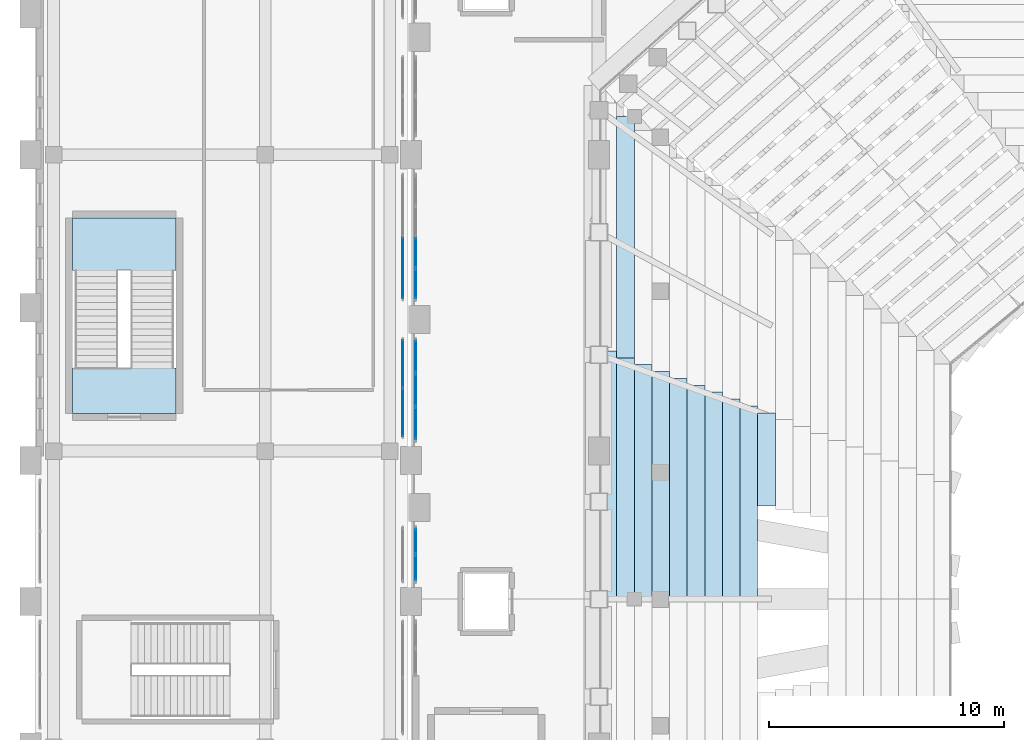
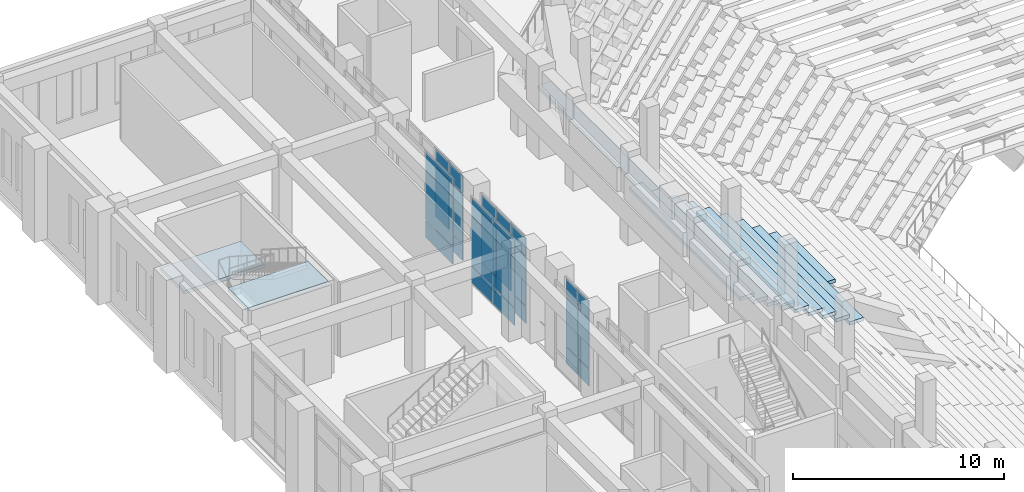
# One storey, part 99 of 159: 30 plates, 13 slabs, 6 elements without a shape of their own.
"""IFC4 building model written with IfcOpenShell, lengths in metres."""

import ifcopenshell
import ifcopenshell.guid

model = None  # the IFC model being written
_history = None  # IfcOwnerHistory: only IFC2X3 demands one
_inside = {}  # id of a spatial element -> (the spatial element, [elements in it])
_under = {}  # id of a project, library or spatial element -> (it, [spatial elements below it])
_declared = {}  # id of a project -> (the project, [libraries it declares])
_typed = {}  # id of a type object -> (the type object, [elements of that type])
_made_of = {}  # id of a material, layer set ... -> (it, [elements and type objects made of it])


def new_model(schema):
    """Start an empty IFC model of exactly this schema.

    Asked for "IFC4X3", IfcOpenShell would pick the latest addendum, in which some entities
    have other attributes; the version numbers below select the first issue.
    IFC2X3 requires an IfcOwnerHistory on every rooted entity: one is made here for all.
    """
    global model, _history
    if schema == "IFC4X3":
        model = ifcopenshell.file(schema_version=(4, 3, 0, 0))
    else:
        model = ifcopenshell.file(schema=schema)
    _inside.clear()
    _under.clear()
    _declared.clear()
    _typed.clear()
    _made_of.clear()
    _history = None
    if model.schema == "IFC2X3":
        org = make("IfcOrganization", Name="unknown")
        user = make(
            "IfcPersonAndOrganization",
            ThePerson=make("IfcPerson", FamilyName="unknown"),
            TheOrganization=org,
        )
        app = make(
            "IfcApplication",
            ApplicationDeveloper=org,
            Version="unknown",
            ApplicationFullName="unknown",
            ApplicationIdentifier="unknown",
        )
        _history = make(
            "IfcOwnerHistory",
            OwningUser=user,
            OwningApplication=app,
            ChangeAction="ADDED",
            CreationDate=0,
        )
    return model


def make(cls, **values):
    """One entity of the class cls with the attributes given. An attribute that is None is left unset."""
    return model.create_entity(
        cls, **{name: value for name, value in values.items() if value is not None}
    )


def rooted(cls, **values):
    """An entity with a GlobalId (a new one), such as an element, a storey or a relation."""
    return make(cls, GlobalId=ifcopenshell.guid.new(), OwnerHistory=_history, **values)


def si_unit(unit_type, name, prefix=None):
    """IfcSIUnit, for example si_unit("LENGTHUNIT", "METRE", prefix="MILLI")."""
    return make("IfcSIUnit", UnitType=unit_type, Prefix=prefix, Name=name)


def derived_unit(unit_type, elements):
    """IfcDerivedUnit: a product of units, each with its exponent."""
    return make(
        "IfcDerivedUnit",
        Elements=[
            make("IfcDerivedUnitElement", Unit=unit, Exponent=power)
            for unit, power in elements
        ],
        UnitType=unit_type,
    )


def assignment(units):
    """IfcUnitAssignment: the units of a project."""
    return None if units is None else make("IfcUnitAssignment", Units=units)


def point(xyz):
    """IfcCartesianPoint."""
    return None if xyz is None else make("IfcCartesianPoint", Coordinates=xyz)


def direction(xyz):
    """IfcDirection."""
    return None if xyz is None else make("IfcDirection", DirectionRatios=xyz)


def frame(location, z_axis=None, x_axis=None):
    """IfcAxis2Placement3D, a coordinate frame: its origin and axes. An axis left out is left unset."""
    return make(
        "IfcAxis2Placement3D",
        Location=point(location),
        Axis=direction(z_axis),
        RefDirection=direction(x_axis),
    )


def frame_2d(location, x_axis=None):
    """IfcAxis2Placement2D, a coordinate frame in the plane: its origin and x axis."""
    return make(
        "IfcAxis2Placement2D", Location=point(location), RefDirection=direction(x_axis)
    )


def origin():
    """The frame at (0, 0, 0) with its axes left unset."""
    return frame((0.0, 0.0, 0.0))


def origin_2d():
    """The frame at (0, 0) in the plane with its x axis left unset."""
    return frame_2d((0.0, 0.0))


def place(relative_to, where):
    """IfcLocalPlacement: puts the frame where relative to a parent placement (None: the world)."""
    return make(
        "IfcLocalPlacement", PlacementRelTo=relative_to, RelativePlacement=where
    )


def context(
    kind, dimensions, precision=None, world=None, true_north=None, identifier=None
):
    """IfcGeometricRepresentationContext, for example the 3D "Model" context."""
    return make(
        "IfcGeometricRepresentationContext",
        ContextIdentifier=identifier,
        ContextType=kind,
        CoordinateSpaceDimension=dimensions,
        Precision=precision,
        WorldCoordinateSystem=world,
        TrueNorth=true_north,
    )


def subcontext(parent, identifier, kind, view, scale=None):
    """IfcGeometricRepresentationSubContext, for example "Body" below "Model"."""
    return make(
        "IfcGeometricRepresentationSubContext",
        ContextIdentifier=identifier,
        ContextType=kind,
        ParentContext=parent,
        TargetScale=scale,
        TargetView=view,
    )


def project(units=None, contexts=None):
    """IfcProject with its units and contexts."""
    return rooted(
        "IfcProject",
        Name="project",
        RepresentationContexts=contexts,
        UnitsInContext=assignment(units),
    )


def spatial(cls, under=None, at=None, **own):
    """A site, building, storey or space (cls), placed at a placement, below another one or the project."""
    s = rooted(cls, ObjectPlacement=at, **own)
    if under is not None:
        _under.setdefault(under.id(), (under, []))[1].append(s)
    return s


def polyline(points):
    """IfcPolyline through the points."""
    return make("IfcPolyline", Points=[point(p) for p in points])


def profile(cls, at=None, kind="AREA", **sizes):
    """A parametric profile (cls). Its sizes go by their IFC names, for example OverallWidth=200.0."""
    return make(cls, ProfileType=kind, Position=at, **sizes)


def rectangle(**sizes):
    """IfcRectangleProfileDef."""
    return profile("IfcRectangleProfileDef", **sizes)


def outline(outer, holes=None, kind="AREA"):
    """IfcArbitraryClosedProfileDef: a profile drawn as a closed curve; with holes, ...WithVoids."""
    if holes is None:
        return make("IfcArbitraryClosedProfileDef", ProfileType=kind, OuterCurve=outer)
    return make(
        "IfcArbitraryProfileDefWithVoids",
        ProfileType=kind,
        OuterCurve=outer,
        InnerCurves=holes,
    )


def extrude(swept, where, along, depth):
    """IfcExtrudedAreaSolid: the profile swept, set in the frame where, extruded along a direction by depth."""
    return make(
        "IfcExtrudedAreaSolid",
        SweptArea=swept,
        Position=where,
        ExtrudedDirection=direction(along),
        Depth=depth,
    )


def shape(context_of_items, identifier, shape_type, items):
    """IfcShapeRepresentation: the items that make up one representation, for example the "Body"."""
    return make(
        "IfcShapeRepresentation",
        ContextOfItems=context_of_items,
        RepresentationIdentifier=identifier,
        RepresentationType=shape_type,
        Items=items,
    )


def material(Name=None, Category=None):
    """IfcMaterial."""
    return make("IfcMaterial", Name=Name, Category=Category)


def layer(
    of_material, thickness, ventilated=None, Name=None, Category=None, Priority=None
):
    """IfcMaterialLayer: one layer of a wall or slab, of a material (None: an air gap)."""
    return make(
        "IfcMaterialLayer",
        Material=of_material,
        LayerThickness=thickness,
        IsVentilated=ventilated,
        Name=Name,
        Category=Category,
        Priority=Priority,
    )


def layer_set(layers, Name=None):
    """IfcMaterialLayerSet."""
    return make("IfcMaterialLayerSet", MaterialLayers=layers, LayerSetName=Name)


def made_of(thing, what):
    """Note that an element or type object is made of a material, layer set ...; save() writes the relation."""
    if what is not None:
        _made_of.setdefault(what.id(), (what, []))[1].append(thing)
    return thing


def type_object(cls, material=None, **own):
    """A type object (cls), such as IfcWallType, which elements share."""
    return made_of(rooted(cls, **own), material)


def element(
    cls,
    number,
    at=None,
    inside=None,
    cuts=None,
    type_object=None,
    material=None,
    context=None,
    identifier="Body",
    shape_type=None,
    held_by="IfcProductDefinitionShape",
    body=None,
    shapes=None,
    **own,
):
    """One element of the class cls, such as IfcWall. Its Tag is "e" and its number.

    at: its placement. inside: the storey or other place that contains it. cuts: it is an
    opening in that element (IfcRelVoidsElement). A single representation is given by context,
    identifier, shape_type and body (its items); several are given by shapes. held_by: the class
    of the entity that holds the representations. save() writes the other relations.
    """
    e = rooted(cls, Tag="e%d" % number, ObjectPlacement=at, **own)
    if body is not None:
        shapes = [shape(context, identifier, shape_type, body)]
    if shapes is not None:
        e.Representation = make(held_by, Representations=shapes)
    if inside is not None:
        _inside.setdefault(inside.id(), (inside, []))[1].append(e)
    if cuts is not None:
        rooted(
            "IfcRelVoidsElement", RelatingBuildingElement=cuts, RelatedOpeningElement=e
        )
    if type_object is not None:
        _typed.setdefault(type_object.id(), (type_object, []))[1].append(e)
    return made_of(e, material)


def aggregate(whole, parts):
    """IfcRelAggregates: a whole, such as a stair, and the parts it consists of."""
    return rooted("IfcRelAggregates", RelatingObject=whole, RelatedObjects=parts)


def save(model, path):
    """Write the relations noted so far, then the file.

    IfcRelAggregates (storeys below a building ...), IfcRelContainedInSpatialStructure (elements
    in a storey), IfcRelDefinesByType, IfcRelAssociatesMaterial and IfcRelDeclares: one each for
    every whole, place, type object, material and project.
    """
    for whole, parts in _under.values():
        aggregate(whole, parts)
    for where, things in _inside.values():
        rooted(
            "IfcRelContainedInSpatialStructure",
            RelatedElements=things,
            RelatingStructure=where,
        )
    for kind, things in _typed.values():
        rooted("IfcRelDefinesByType", RelatedObjects=things, RelatingType=kind)
    for what, things in _made_of.values():
        rooted("IfcRelAssociatesMaterial", RelatedObjects=things, RelatingMaterial=what)
    for by, libraries in _declared.values():
        rooted("IfcRelDeclares", RelatingContext=by, RelatedDefinitions=libraries)
    model.write(path)


model = new_model("IFC4")

# Units and contexts
model_context = context("Model", 3, precision=1e-05, world=origin(), true_north=direction((0.0, 1.0)))
body_context = subcontext(model_context, "Body", "Model", "MODEL_VIEW")
ifc_project = project(units=[si_unit("LENGTHUNIT", "METRE"), si_unit("AREAUNIT", "SQUARE_METRE"), si_unit("VOLUMEUNIT", "CUBIC_METRE"), si_unit("PLANEANGLEUNIT", "RADIAN"), si_unit("MASSUNIT", "GRAM", prefix="KILO"), derived_unit("THERMALTRANSMITTANCEUNIT", [(si_unit("MASSUNIT", "GRAM", prefix="KILO"), 1), (si_unit("TIMEUNIT", "SECOND"), -3), (si_unit("THERMODYNAMICTEMPERATUREUNIT", "KELVIN"), -1)])], contexts=[model_context])

# Site, building, storey
site_placement = place(None, origin())
site = spatial("IfcSite", under=ifc_project, at=site_placement, CompositionType="ELEMENT")
building_placement = place(site_placement, origin())
building = spatial("IfcBuilding", under=site, at=building_placement, Name="Valcora Ridge Arena", CompositionType="ELEMENT")
storey_placement = place(building_placement, frame((0.0, 0.0, 6.0)))
storey = spatial("IfcBuildingStorey", under=building, at=storey_placement, Name="L01", CompositionType="ELEMENT", Elevation=6.0)

# Stair, slabs
ifc_material_1 = material(Name="Concrete C40/50", Category="concrete")
stair_type = type_object("IfcStairType", Name="TY-STAIR-ST08-54", PredefinedType="HALF_TURN_STAIR", material=ifc_material_1)
stair_placement = place(storey_placement, origin())
stair = element("IfcStair", 1, at=stair_placement, inside=storey, type_object=stair_type, Name="ST08-54 STR-CR-0036", PredefinedType="HALF_TURN_STAIR")
ifc_layer_1 = layer(ifc_material_1, 0.199951171875, Name="Concrete C40/50")
ifc_layer_set_1 = layer_set([ifc_layer_1], Name="Concrete C40/50")
slab_type_1 = type_object("IfcSlabType", Name="TY-LAND-ST08-54", PredefinedType="LANDING", material=ifc_layer_set_1)
slab_1_placement = place(storey_placement, frame((0.0, 0.0, 2.5)))
slab_1 = element("IfcSlab", 2, at=slab_1_placement, type_object=slab_type_1, Name="ST08-54 landing 1", PredefinedType="LANDING", context=body_context, shape_type="SweptSolid", body=[
    extrude(outline(polyline([(1.60205078125, 78.090087890625), (5.998046875, 78.090087890625), (5.998046875, 80.318115234375), (1.60205078125, 80.318115234375), (1.60205078125, 78.090087890625)])), origin(), (0.0, 0.0, 1.0), 0.199951171875),
])
slab_2_placement = place(storey_placement, frame((0.0, 0.0, 5.199951171875)))
slab_2 = element("IfcSlab", 3, at=slab_2_placement, type_object=slab_type_1, Name="ST08-54 landing 2", PredefinedType="LANDING", context=body_context, shape_type="SweptSolid", body=[
    extrude(outline(polyline([(1.60205078125, 72.001953125), (5.998046875, 72.001953125), (5.998046875, 73.929931640625), (1.60205078125, 73.929931640625), (1.60205078125, 72.001953125)])), origin(), (0.0, 0.0, 1.0), 0.199951171875),
])
aggregate(stair, [slab_1, slab_2])

# Curtain wall, plates
ifc_material_2 = material(Name="Anodised dark bronze architectural aluminium 6063-T6", Category="aluminium")
ifc_layer_2 = layer(ifc_material_2, 0.179931640625, Name="Anodised dark bronze architectural aluminium 6063-T6")
ifc_layer_set_2 = layer_set([ifc_layer_2], Name="Anodised dark bronze architectural aluminium 6063-T6")
curtain_wall_type_1 = type_object("IfcCurtainWallType", Name="TY-CURTAINWALL-CW-V1-GOTH-023X50", PredefinedType="NOTDEFINED", material=ifc_layer_set_2)
curtain_wall_1_placement = place(storey_placement, origin())
curtain_wall_1 = element("IfcCurtainWall", 4, at=curtain_wall_1_placement, inside=storey, type_object=curtain_wall_type_1, Name="CW-V1-GOTH-023X50 CW-0093", PredefinedType="NOTDEFINED")
ifc_material_3 = material(Name="Low-iron solar-control double glazing SHGC 0.28", Category="glass")
ifc_layer_3 = layer(ifc_material_3, 0.031982421875, Name="Low-iron solar-control double glazing SHGC 0.28")
ifc_layer_set_3 = layer_set([ifc_layer_3], Name="Low-iron solar-control double glazing SHGC 0.28")
plate_type_1 = type_object("IfcPlateType", Name="TY-PLT-CWP-1070X0960", PredefinedType="CURTAIN_PANEL", material=ifc_layer_set_3)
plate_1_placement = place(storey_placement, frame((16.199951171875, 65.43505859375, 0.06005859375), z_axis=(0.0, 0.0, 1.0), x_axis=(0.0, 1.0, 0.0)))
plate_1 = element("IfcPlate", 5, at=plate_1_placement, type_object=plate_type_1, Name="CW-0093/P00-00", PredefinedType="CURTAIN_PANEL", context=body_context, shape_type="SweptSolid", body=[
    extrude(rectangle(XDim=1.070068359375, YDim=0.031982421875, at=origin_2d()), origin(), (0.0, 0.0, 1.0), 0.9599609375),
])
plate_2_placement = place(storey_placement, frame((16.199951171875, 66.56494140625, 0.06005859375), z_axis=(0.0, 0.0, 1.0), x_axis=(0.0, 1.0, 0.0)))
plate_2 = element("IfcPlate", 6, at=plate_2_placement, type_object=plate_type_1, Name="CW-0093/P01-00", PredefinedType="CURTAIN_PANEL", context=body_context, shape_type="SweptSolid", body=[
    extrude(rectangle(XDim=1.070068359375, YDim=0.031982421875, at=origin_2d()), origin(), (0.0, 0.0, 1.0), 0.9599609375),
])
ifc_layer_4 = layer(ifc_material_3, 0.031982421875, Name="Low-iron solar-control double glazing SHGC 0.28")
ifc_layer_set_4 = layer_set([ifc_layer_4], Name="Low-iron solar-control double glazing SHGC 0.28")
plate_type_2 = type_object("IfcPlateType", Name="TY-PLT-CWP-1070X1010", PredefinedType="CURTAIN_PANEL", material=ifc_layer_set_4)
plate_3_placement = place(storey_placement, frame((16.199951171875, 65.43505859375, 3.97021484375), z_axis=(0.0, 0.0, 1.0), x_axis=(0.0, 1.0, 0.0)))
plate_3 = element("IfcPlate", 7, at=plate_3_placement, type_object=plate_type_2, Name="CW-0093/P00-02", PredefinedType="CURTAIN_PANEL", context=body_context, shape_type="SweptSolid", body=[
    extrude(rectangle(XDim=1.070068359375, YDim=0.031982421875, at=origin_2d()), origin(), (0.0, 0.0, 1.0), 1.010009765625),
])
plate_4_placement = place(storey_placement, frame((16.199951171875, 66.56494140625, 3.97021484375), z_axis=(0.0, 0.0, 1.0), x_axis=(0.0, 1.0, 0.0)))
plate_4 = element("IfcPlate", 8, at=plate_4_placement, type_object=plate_type_2, Name="CW-0093/P01-02", PredefinedType="CURTAIN_PANEL", context=body_context, shape_type="SweptSolid", body=[
    extrude(rectangle(XDim=1.070068359375, YDim=0.031982421875, at=origin_2d()), origin(), (0.0, 0.0, 1.0), 1.010009765625),
])
ifc_layer_5 = layer(ifc_material_3, 0.031982421875, Name="Low-iron solar-control double glazing SHGC 0.28")
ifc_layer_set_5 = layer_set([ifc_layer_5], Name="Low-iron solar-control double glazing SHGC 0.28")
plate_type_3 = type_object("IfcPlateType", Name="TY-PLT-CWP-1070X2830", PredefinedType="CURTAIN_PANEL", material=ifc_layer_set_5)
plate_5_placement = place(storey_placement, frame((16.199951171875, 65.43505859375, 1.080078125), z_axis=(0.0, 0.0, 1.0), x_axis=(0.0, 1.0, 0.0)))
plate_5 = element("IfcPlate", 9, at=plate_5_placement, type_object=plate_type_3, Name="CW-0093/P00-01", PredefinedType="CURTAIN_PANEL", context=body_context, shape_type="SweptSolid", body=[
    extrude(rectangle(XDim=1.070068359375, YDim=0.031982421875, at=origin_2d()), origin(), (0.0, 0.0, 1.0), 2.830078125),
])
plate_6_placement = place(storey_placement, frame((16.199951171875, 66.56494140625, 1.080078125), z_axis=(0.0, 0.0, 1.0), x_axis=(0.0, 1.0, 0.0)))
plate_6 = element("IfcPlate", 10, at=plate_6_placement, type_object=plate_type_3, Name="CW-0093/P01-01", PredefinedType="CURTAIN_PANEL", context=body_context, shape_type="SweptSolid", body=[
    extrude(rectangle(XDim=1.070068359375, YDim=0.031982421875, at=origin_2d()), origin(), (0.0, 0.0, 1.0), 2.830078125),
])
aggregate(curtain_wall_1, [plate_1, plate_5, plate_3, plate_2, plate_6, plate_4])

ifc_layer_6 = layer(ifc_material_2, 0.179931640625, Name="Anodised dark bronze architectural aluminium 6063-T6")
ifc_layer_set_6 = layer_set([ifc_layer_6], Name="Anodised dark bronze architectural aluminium 6063-T6")
curtain_wall_type_2 = type_object("IfcCurtainWallType", Name="TY-CURTAINWALL-CW-V1-GOTH-053X50", PredefinedType="NOTDEFINED", material=ifc_layer_set_6)
curtain_wall_2_placement = place(storey_placement, origin())
curtain_wall_2 = element("IfcCurtainWall", 11, at=curtain_wall_2_placement, inside=storey, type_object=curtain_wall_type_2, Name="CW-V1-GOTH-053X50 CW-0095", PredefinedType="NOTDEFINED")
ifc_layer_7 = layer(ifc_material_3, 0.031982421875, Name="Low-iron solar-control double glazing SHGC 0.28")
ifc_layer_set_7 = layer_set([ifc_layer_7], Name="Low-iron solar-control double glazing SHGC 0.28")
plate_type_4 = type_object("IfcPlateType", Name="TY-PLT-CWP-1240X0960", PredefinedType="CURTAIN_PANEL", material=ifc_layer_set_7)
plate_7_placement = place(storey_placement, frame((16.199951171875, 77.52001953125, 0.06005859375), z_axis=(0.0, 0.0, 1.0), x_axis=(0.0, 1.0, 0.0)))
plate_7 = element("IfcPlate", 12, at=plate_7_placement, type_object=plate_type_4, Name="CW-0095/P00-00", PredefinedType="CURTAIN_PANEL", context=body_context, shape_type="SweptSolid", body=[
    extrude(rectangle(XDim=1.239990234375, YDim=0.031982421875, at=origin_2d()), origin(), (0.0, 0.0, 1.0), 0.9599609375),
])
ifc_layer_8 = layer(ifc_material_3, 0.031982421875, Name="Low-iron solar-control double glazing SHGC 0.28")
ifc_layer_set_8 = layer_set([ifc_layer_8], Name="Low-iron solar-control double glazing SHGC 0.28")
plate_type_5 = type_object("IfcPlateType", Name="TY-PLT-CWP-1240X1010", PredefinedType="CURTAIN_PANEL", material=ifc_layer_set_8)
plate_8_placement = place(storey_placement, frame((16.199951171875, 77.52001953125, 3.97021484375), z_axis=(0.0, 0.0, 1.0), x_axis=(0.0, 1.0, 0.0)))
plate_8 = element("IfcPlate", 13, at=plate_8_placement, type_object=plate_type_5, Name="CW-0095/P00-02", PredefinedType="CURTAIN_PANEL", context=body_context, shape_type="SweptSolid", body=[
    extrude(rectangle(XDim=1.239990234375, YDim=0.031982421875, at=origin_2d()), origin(), (0.0, 0.0, 1.0), 1.010009765625),
])
ifc_layer_9 = layer(ifc_material_3, 0.031982421875, Name="Low-iron solar-control double glazing SHGC 0.28")
ifc_layer_set_9 = layer_set([ifc_layer_9], Name="Low-iron solar-control double glazing SHGC 0.28")
plate_type_6 = type_object("IfcPlateType", Name="TY-PLT-CWP-1240X2830", PredefinedType="CURTAIN_PANEL", material=ifc_layer_set_9)
plate_9_placement = place(storey_placement, frame((16.199951171875, 77.52001953125, 1.080078125), z_axis=(0.0, 0.0, 1.0), x_axis=(0.0, 1.0, 0.0)))
plate_9 = element("IfcPlate", 14, at=plate_9_placement, type_object=plate_type_6, Name="CW-0095/P00-01", PredefinedType="CURTAIN_PANEL", context=body_context, shape_type="SweptSolid", body=[
    extrude(rectangle(XDim=1.239990234375, YDim=0.031982421875, at=origin_2d()), origin(), (0.0, 0.0, 1.0), 2.830078125),
])
ifc_layer_10 = layer(ifc_material_3, 0.031982421875, Name="Low-iron solar-control double glazing SHGC 0.28")
ifc_layer_set_10 = layer_set([ifc_layer_10], Name="Low-iron solar-control double glazing SHGC 0.28")
plate_type_7 = type_object("IfcPlateType", Name="TY-PLT-CWP-1270X0960", PredefinedType="CURTAIN_PANEL", material=ifc_layer_set_10)
plate_10_placement = place(storey_placement, frame((16.199951171875, 78.8349609375, 0.06005859375), z_axis=(0.0, 0.0, 1.0), x_axis=(0.0, 1.0, 0.0)))
plate_10 = element("IfcPlate", 15, at=plate_10_placement, type_object=plate_type_7, Name="CW-0095/P01-00", PredefinedType="CURTAIN_PANEL", context=body_context, shape_type="SweptSolid", body=[
    extrude(rectangle(XDim=1.27001953125, YDim=0.031982421875, at=origin_2d()), origin(), (0.0, 0.0, 1.0), 0.9599609375),
])
ifc_layer_11 = layer(ifc_material_3, 0.031982421875, Name="Low-iron solar-control double glazing SHGC 0.28")
ifc_layer_set_11 = layer_set([ifc_layer_11], Name="Low-iron solar-control double glazing SHGC 0.28")
plate_type_8 = type_object("IfcPlateType", Name="TY-PLT-CWP-1270X1010", PredefinedType="CURTAIN_PANEL", material=ifc_layer_set_11)
plate_11_placement = place(storey_placement, frame((16.199951171875, 78.8349609375, 3.97021484375), z_axis=(0.0, 0.0, 1.0), x_axis=(0.0, 1.0, 0.0)))
plate_11 = element("IfcPlate", 16, at=plate_11_placement, type_object=plate_type_8, Name="CW-0095/P01-02", PredefinedType="CURTAIN_PANEL", context=body_context, shape_type="SweptSolid", body=[
    extrude(rectangle(XDim=1.27001953125, YDim=0.031982421875, at=origin_2d()), origin(), (0.0, 0.0, 1.0), 1.010009765625),
])
ifc_layer_12 = layer(ifc_material_3, 0.031982421875, Name="Low-iron solar-control double glazing SHGC 0.28")
ifc_layer_set_12 = layer_set([ifc_layer_12], Name="Low-iron solar-control double glazing SHGC 0.28")
plate_type_9 = type_object("IfcPlateType", Name="TY-PLT-CWP-1270X2830", PredefinedType="CURTAIN_PANEL", material=ifc_layer_set_12)
plate_12_placement = place(storey_placement, frame((16.199951171875, 78.8349609375, 1.080078125), z_axis=(0.0, 0.0, 1.0), x_axis=(0.0, 1.0, 0.0)))
plate_12 = element("IfcPlate", 17, at=plate_12_placement, type_object=plate_type_9, Name="CW-0095/P01-01", PredefinedType="CURTAIN_PANEL", context=body_context, shape_type="SweptSolid", body=[
    extrude(rectangle(XDim=1.27001953125, YDim=0.031982421875, at=origin_2d()), origin(), (0.0, 0.0, 1.0), 2.830078125),
])
aggregate(curtain_wall_2, [plate_7, plate_9, plate_8, plate_10, plate_12, plate_11])

ifc_layer_13 = layer(ifc_material_2, 0.179931640625, Name="Anodised dark bronze architectural aluminium 6063-T6")
ifc_layer_set_13 = layer_set([ifc_layer_13], Name="Anodised dark bronze architectural aluminium 6063-T6")
curtain_wall_type_3 = type_object("IfcCurtainWallType", Name="TY-CURTAINWALL-CW-V1-GOTH-043X50", PredefinedType="NOTDEFINED", material=ifc_layer_set_13)
curtain_wall_3_placement = place(storey_placement, origin())
curtain_wall_3 = element("IfcCurtainWall", 18, at=curtain_wall_3_placement, inside=storey, type_object=curtain_wall_type_3, Name="CW-V1-GOTH-043X50 CW-0094", PredefinedType="NOTDEFINED")
ifc_layer_14 = layer(ifc_material_3, 0.031982421875, Name="Low-iron solar-control double glazing SHGC 0.28")
ifc_layer_set_14 = layer_set([ifc_layer_14], Name="Low-iron solar-control double glazing SHGC 0.28")
plate_type_10 = type_object("IfcPlateType", Name="TY-PLT-CWP-1350X0960", PredefinedType="CURTAIN_PANEL", material=ifc_layer_set_14)
plate_13_placement = place(storey_placement, frame((16.199951171875, 71.574951171875, 0.06005859375), z_axis=(0.0, 0.0, 1.0), x_axis=(0.0, 1.0, 0.0)))
plate_13 = element("IfcPlate", 19, at=plate_13_placement, type_object=plate_type_10, Name="CW-0094/P00-00", PredefinedType="CURTAIN_PANEL", context=body_context, shape_type="SweptSolid", body=[
    extrude(rectangle(XDim=1.35009765625, YDim=0.031982421875, at=origin_2d()), origin(), (0.0, 0.0, 1.0), 0.9599609375),
])
plate_14_placement = place(storey_placement, frame((16.199951171875, 74.425048828125, 0.06005859375), z_axis=(0.0, 0.0, 1.0), x_axis=(0.0, 1.0, 0.0)))
plate_14 = element("IfcPlate", 20, at=plate_14_placement, type_object=plate_type_10, Name="CW-0094/P02-00", PredefinedType="CURTAIN_PANEL", context=body_context, shape_type="SweptSolid", body=[
    extrude(rectangle(XDim=1.35009765625, YDim=0.031982421875, at=origin_2d()), origin(), (0.0, 0.0, 1.0), 0.9599609375),
])
ifc_layer_15 = layer(ifc_material_3, 0.031982421875, Name="Low-iron solar-control double glazing SHGC 0.28")
ifc_layer_set_15 = layer_set([ifc_layer_15], Name="Low-iron solar-control double glazing SHGC 0.28")
plate_type_11 = type_object("IfcPlateType", Name="TY-PLT-CWP-1350X1010", PredefinedType="CURTAIN_PANEL", material=ifc_layer_set_15)
plate_15_placement = place(storey_placement, frame((16.199951171875, 71.574951171875, 3.97021484375), z_axis=(0.0, 0.0, 1.0), x_axis=(0.0, 1.0, 0.0)))
plate_15 = element("IfcPlate", 21, at=plate_15_placement, type_object=plate_type_11, Name="CW-0094/P00-02", PredefinedType="CURTAIN_PANEL", context=body_context, shape_type="SweptSolid", body=[
    extrude(rectangle(XDim=1.35009765625, YDim=0.031982421875, at=origin_2d()), origin(), (0.0, 0.0, 1.0), 1.010009765625),
])
plate_16_placement = place(storey_placement, frame((16.199951171875, 74.425048828125, 3.97021484375), z_axis=(0.0, 0.0, 1.0), x_axis=(0.0, 1.0, 0.0)))
plate_16 = element("IfcPlate", 22, at=plate_16_placement, type_object=plate_type_11, Name="CW-0094/P02-02", PredefinedType="CURTAIN_PANEL", context=body_context, shape_type="SweptSolid", body=[
    extrude(rectangle(XDim=1.35009765625, YDim=0.031982421875, at=origin_2d()), origin(), (0.0, 0.0, 1.0), 1.010009765625),
])
ifc_layer_16 = layer(ifc_material_3, 0.031982421875, Name="Low-iron solar-control double glazing SHGC 0.28")
ifc_layer_set_16 = layer_set([ifc_layer_16], Name="Low-iron solar-control double glazing SHGC 0.28")
plate_type_12 = type_object("IfcPlateType", Name="TY-PLT-CWP-1350X2830", PredefinedType="CURTAIN_PANEL", material=ifc_layer_set_16)
plate_17_placement = place(storey_placement, frame((16.199951171875, 71.574951171875, 1.080078125), z_axis=(0.0, 0.0, 1.0), x_axis=(0.0, 1.0, 0.0)))
plate_17 = element("IfcPlate", 23, at=plate_17_placement, type_object=plate_type_12, Name="CW-0094/P00-01", PredefinedType="CURTAIN_PANEL", context=body_context, shape_type="SweptSolid", body=[
    extrude(rectangle(XDim=1.35009765625, YDim=0.031982421875, at=origin_2d()), origin(), (0.0, 0.0, 1.0), 2.830078125),
])
plate_18_placement = place(storey_placement, frame((16.199951171875, 74.425048828125, 1.080078125), z_axis=(0.0, 0.0, 1.0), x_axis=(0.0, 1.0, 0.0)))
plate_18 = element("IfcPlate", 24, at=plate_18_placement, type_object=plate_type_12, Name="CW-0094/P02-01", PredefinedType="CURTAIN_PANEL", context=body_context, shape_type="SweptSolid", body=[
    extrude(rectangle(XDim=1.35009765625, YDim=0.031982421875, at=origin_2d()), origin(), (0.0, 0.0, 1.0), 2.830078125),
])
ifc_layer_17 = layer(ifc_material_3, 0.031982421875, Name="Low-iron solar-control double glazing SHGC 0.28")
ifc_layer_set_17 = layer_set([ifc_layer_17], Name="Low-iron solar-control double glazing SHGC 0.28")
plate_type_13 = type_object("IfcPlateType", Name="TY-PLT-CWP-1380X0960", PredefinedType="CURTAIN_PANEL", material=ifc_layer_set_17)
plate_19_placement = place(storey_placement, frame((16.199951171875, 73.0, 0.06005859375), z_axis=(0.0, 0.0, 1.0), x_axis=(0.0, 1.0, 0.0)))
plate_19 = element("IfcPlate", 25, at=plate_19_placement, type_object=plate_type_13, Name="CW-0094/P01-00", PredefinedType="CURTAIN_PANEL", context=body_context, shape_type="SweptSolid", body=[
    extrude(rectangle(XDim=1.3798828125, YDim=0.031982421875, at=origin_2d()), origin(), (0.0, 0.0, 1.0), 0.9599609375),
])
ifc_layer_18 = layer(ifc_material_3, 0.031982421875, Name="Low-iron solar-control double glazing SHGC 0.28")
ifc_layer_set_18 = layer_set([ifc_layer_18], Name="Low-iron solar-control double glazing SHGC 0.28")
plate_type_14 = type_object("IfcPlateType", Name="TY-PLT-CWP-1380X1010", PredefinedType="CURTAIN_PANEL", material=ifc_layer_set_18)
plate_20_placement = place(storey_placement, frame((16.199951171875, 73.0, 3.97021484375), z_axis=(0.0, 0.0, 1.0), x_axis=(0.0, 1.0, 0.0)))
plate_20 = element("IfcPlate", 26, at=plate_20_placement, type_object=plate_type_14, Name="CW-0094/P01-02", PredefinedType="CURTAIN_PANEL", context=body_context, shape_type="SweptSolid", body=[
    extrude(rectangle(XDim=1.3798828125, YDim=0.031982421875, at=origin_2d()), origin(), (0.0, 0.0, 1.0), 1.010009765625),
])
ifc_layer_19 = layer(ifc_material_3, 0.031982421875, Name="Low-iron solar-control double glazing SHGC 0.28")
ifc_layer_set_19 = layer_set([ifc_layer_19], Name="Low-iron solar-control double glazing SHGC 0.28")
plate_type_15 = type_object("IfcPlateType", Name="TY-PLT-CWP-1380X2830", PredefinedType="CURTAIN_PANEL", material=ifc_layer_set_19)
plate_21_placement = place(storey_placement, frame((16.199951171875, 73.0, 1.080078125), z_axis=(0.0, 0.0, 1.0), x_axis=(0.0, 1.0, 0.0)))
plate_21 = element("IfcPlate", 27, at=plate_21_placement, type_object=plate_type_15, Name="CW-0094/P01-01", PredefinedType="CURTAIN_PANEL", context=body_context, shape_type="SweptSolid", body=[
    extrude(rectangle(XDim=1.3798828125, YDim=0.031982421875, at=origin_2d()), origin(), (0.0, 0.0, 1.0), 2.830078125),
])
aggregate(curtain_wall_3, [plate_13, plate_17, plate_15, plate_19, plate_21, plate_20, plate_14, plate_18, plate_16])

ifc_layer_20 = layer(ifc_material_2, 0.14990234375, Name="Anodised dark bronze architectural aluminium 6063-T6")
ifc_layer_set_20 = layer_set([ifc_layer_20], Name="Anodised dark bronze architectural aluminium 6063-T6")
curtain_wall_type_4 = type_object("IfcCurtainWallType", Name="TY-CURTAINWALL-CW-V4-CLUB-042X50", PredefinedType="NOTDEFINED", material=ifc_layer_set_20)
curtain_wall_4_placement = place(storey_placement, origin())
curtain_wall_4 = element("IfcCurtainWall", 28, at=curtain_wall_4_placement, inside=storey, type_object=curtain_wall_type_4, Name="CW-V4-CLUB-042X50 CW-0233", PredefinedType="NOTDEFINED")
ifc_layer_21 = layer(ifc_material_3, 0.028076171875, Name="Low-iron solar-control double glazing SHGC 0.28")
ifc_layer_set_21 = layer_set([ifc_layer_21], Name="Low-iron solar-control double glazing SHGC 0.28")
plate_type_16 = type_object("IfcPlateType", Name="TY-PLT-CWP-2010X0975", PredefinedType="CURTAIN_PANEL", material=ifc_layer_set_21)
plate_22_placement = place(storey_placement, frame((15.64990234375, 72.044921875, 0.050048828125), z_axis=(0.0, 0.0, 1.0), x_axis=(0.0, 1.0, 0.0)))
plate_22 = element("IfcPlate", 29, at=plate_22_placement, type_object=plate_type_16, Name="CW-0233/P00-00", PredefinedType="CURTAIN_PANEL", context=body_context, shape_type="SweptSolid", body=[
    extrude(rectangle(XDim=2.010009765625, YDim=0.028076171875, at=origin_2d()), origin(), (0.0, 0.0, 1.0), 0.97509765625),
])
plate_23_placement = place(storey_placement, frame((15.64990234375, 74.10498046875, 0.050048828125), z_axis=(0.0, 0.0, 1.0), x_axis=(0.0, 1.0, 0.0)))
plate_23 = element("IfcPlate", 30, at=plate_23_placement, type_object=plate_type_16, Name="CW-0233/P01-00", PredefinedType="CURTAIN_PANEL", context=body_context, shape_type="SweptSolid", body=[
    extrude(rectangle(XDim=2.010009765625, YDim=0.028076171875, at=origin_2d()), origin(), (0.0, 0.0, 1.0), 0.97509765625),
])
ifc_layer_22 = layer(ifc_material_3, 0.028076171875, Name="Low-iron solar-control double glazing SHGC 0.28")
ifc_layer_set_22 = layer_set([ifc_layer_22], Name="Low-iron solar-control double glazing SHGC 0.28")
plate_type_17 = type_object("IfcPlateType", Name="TY-PLT-CWP-2010X1025", PredefinedType="CURTAIN_PANEL", material=ifc_layer_set_22)
plate_24_placement = place(storey_placement, frame((15.64990234375, 72.044921875, 3.965087890625), z_axis=(0.0, 0.0, 1.0), x_axis=(0.0, 1.0, 0.0)))
plate_24 = element("IfcPlate", 31, at=plate_24_placement, type_object=plate_type_17, Name="CW-0233/P00-02", PredefinedType="CURTAIN_PANEL", context=body_context, shape_type="SweptSolid", body=[
    extrude(rectangle(XDim=2.010009765625, YDim=0.028076171875, at=origin_2d()), origin(), (0.0, 0.0, 1.0), 1.02490234375),
])
plate_25_placement = place(storey_placement, frame((15.64990234375, 74.10498046875, 3.965087890625), z_axis=(0.0, 0.0, 1.0), x_axis=(0.0, 1.0, 0.0)))
plate_25 = element("IfcPlate", 32, at=plate_25_placement, type_object=plate_type_17, Name="CW-0233/P01-02", PredefinedType="CURTAIN_PANEL", context=body_context, shape_type="SweptSolid", body=[
    extrude(rectangle(XDim=2.010009765625, YDim=0.028076171875, at=origin_2d()), origin(), (0.0, 0.0, 1.0), 1.02490234375),
])
ifc_layer_23 = layer(ifc_material_3, 0.028076171875, Name="Low-iron solar-control double glazing SHGC 0.28")
ifc_layer_set_23 = layer_set([ifc_layer_23], Name="Low-iron solar-control double glazing SHGC 0.28")
plate_type_18 = type_object("IfcPlateType", Name="TY-PLT-CWP-2010X2840", PredefinedType="CURTAIN_PANEL", material=ifc_layer_set_23)
plate_26_placement = place(storey_placement, frame((15.64990234375, 72.044921875, 1.0751953125), z_axis=(0.0, 0.0, 1.0), x_axis=(0.0, 1.0, 0.0)))
plate_26 = element("IfcPlate", 33, at=plate_26_placement, type_object=plate_type_18, Name="CW-0233/P00-01", PredefinedType="CURTAIN_PANEL", context=body_context, shape_type="SweptSolid", body=[
    extrude(rectangle(XDim=2.010009765625, YDim=0.028076171875, at=origin_2d()), origin(), (0.0, 0.0, 1.0), 2.840087890625),
])
plate_27_placement = place(storey_placement, frame((15.64990234375, 74.10498046875, 1.0751953125), z_axis=(0.0, 0.0, 1.0), x_axis=(0.0, 1.0, 0.0)))
plate_27 = element("IfcPlate", 34, at=plate_27_placement, type_object=plate_type_18, Name="CW-0233/P01-01", PredefinedType="CURTAIN_PANEL", context=body_context, shape_type="SweptSolid", body=[
    extrude(rectangle(XDim=2.010009765625, YDim=0.028076171875, at=origin_2d()), origin(), (0.0, 0.0, 1.0), 2.840087890625),
])
aggregate(curtain_wall_4, [plate_22, plate_26, plate_24, plate_23, plate_27, plate_25])

ifc_layer_24 = layer(ifc_material_2, 0.14990234375, Name="Anodised dark bronze architectural aluminium 6063-T6")
ifc_layer_set_24 = layer_set([ifc_layer_24], Name="Anodised dark bronze architectural aluminium 6063-T6")
curtain_wall_type_5 = type_object("IfcCurtainWallType", Name="TY-CURTAINWALL-CW-V4-CLUB-053X50", PredefinedType="NOTDEFINED", material=ifc_layer_set_24)
curtain_wall_5_placement = place(storey_placement, origin())
curtain_wall_5 = element("IfcCurtainWall", 35, at=curtain_wall_5_placement, inside=storey, type_object=curtain_wall_type_5, Name="CW-V4-CLUB-053X50 CW-0234", PredefinedType="NOTDEFINED")
ifc_layer_25 = layer(ifc_material_3, 0.028076171875, Name="Low-iron solar-control double glazing SHGC 0.28")
ifc_layer_set_25 = layer_set([ifc_layer_25], Name="Low-iron solar-control double glazing SHGC 0.28")
plate_type_19 = type_object("IfcPlateType", Name="TY-PLT-CWP-2585X0975", PredefinedType="CURTAIN_PANEL", material=ifc_layer_set_25)
plate_28_placement = place(storey_placement, frame((15.64990234375, 78.1826171875, 0.050048828125), z_axis=(0.0, 0.0, 1.0), x_axis=(0.0, 1.0, 0.0)))
plate_28 = element("IfcPlate", 36, at=plate_28_placement, type_object=plate_type_19, Name="CW-0234/P00-00", PredefinedType="CURTAIN_PANEL", context=body_context, shape_type="SweptSolid", body=[
    extrude(rectangle(XDim=2.5849609375, YDim=0.028076171875, at=origin_2d()), origin(), (0.0, 0.0, 1.0), 0.97509765625),
])
ifc_layer_26 = layer(ifc_material_3, 0.028076171875, Name="Low-iron solar-control double glazing SHGC 0.28")
ifc_layer_set_26 = layer_set([ifc_layer_26], Name="Low-iron solar-control double glazing SHGC 0.28")
plate_type_20 = type_object("IfcPlateType", Name="TY-PLT-CWP-2585X1025", PredefinedType="CURTAIN_PANEL", material=ifc_layer_set_26)
plate_29_placement = place(storey_placement, frame((15.64990234375, 78.1826171875, 3.965087890625), z_axis=(0.0, 0.0, 1.0), x_axis=(0.0, 1.0, 0.0)))
plate_29 = element("IfcPlate", 37, at=plate_29_placement, type_object=plate_type_20, Name="CW-0234/P00-02", PredefinedType="CURTAIN_PANEL", context=body_context, shape_type="SweptSolid", body=[
    extrude(rectangle(XDim=2.5849609375, YDim=0.028076171875, at=origin_2d()), origin(), (0.0, 0.0, 1.0), 1.02490234375),
])
ifc_layer_27 = layer(ifc_material_3, 0.028076171875, Name="Low-iron solar-control double glazing SHGC 0.28")
ifc_layer_set_27 = layer_set([ifc_layer_27], Name="Low-iron solar-control double glazing SHGC 0.28")
plate_type_21 = type_object("IfcPlateType", Name="TY-PLT-CWP-2585X2840", PredefinedType="CURTAIN_PANEL", material=ifc_layer_set_27)
plate_30_placement = place(storey_placement, frame((15.64990234375, 78.1826171875, 1.0751953125), z_axis=(0.0, 0.0, 1.0), x_axis=(0.0, 1.0, 0.0)))
plate_30 = element("IfcPlate", 38, at=plate_30_placement, type_object=plate_type_21, Name="CW-0234/P00-01", PredefinedType="CURTAIN_PANEL", context=body_context, shape_type="SweptSolid", body=[
    extrude(rectangle(XDim=2.5849609375, YDim=0.028076171875, at=origin_2d()), origin(), (0.0, 0.0, 1.0), 2.840087890625),
])
aggregate(curtain_wall_5, [plate_28, plate_30, plate_29])

# Slabs
ifc_material_4 = material(Name="Precast concrete C45/55", Category="concrete")
ifc_layer_28 = layer(ifc_material_4, 0.199951171875, Name="Precast concrete C45/55")
ifc_layer_set_28 = layer_set([ifc_layer_28], Name="Precast concrete C45/55")
slab_type_2 = type_object("IfcSlabType", Name="TY-SLAB-ST-LOW-L040", PredefinedType="USERDEFINED", material=ifc_layer_set_28)
slab_3_placement = place(storey_placement, frame((0.0, 0.0, -1.199951171875)))
element("IfcSlab", 39, at=slab_3_placement, inside=storey, type_object=slab_type_2, Name="ST-LOW-L040 SLB-TR-0260", ObjectType="SEATING TIER", PredefinedType="USERDEFINED", context=body_context, shape_type="SweptSolid", body=[
    extrude(outline(polyline([(31.5, 72.02490234375), (31.5, 68.0625), (30.75, 68.0625), (30.75, 72.02490234375), (31.5, 72.02490234375)])), origin(), (0.0, 0.0, 1.0), 0.199951171875),
])
ifc_layer_29 = layer(ifc_material_4, 0.199951171875, Name="Precast concrete C45/55")
ifc_layer_set_29 = layer_set([ifc_layer_29], Name="Precast concrete C45/55")
slab_type_3 = type_object("IfcSlabType", Name="TY-SLAB-ST-LOW-L082", PredefinedType="USERDEFINED", material=ifc_layer_set_29)
slab_4_placement = place(storey_placement, frame((0.0, 0.0, -0.760009765625)))
element("IfcSlab", 40, at=slab_4_placement, inside=storey, type_object=slab_type_3, Name="ST-LOW-L082 SLB-TR-0284", ObjectType="SEATING TIER", PredefinedType="USERDEFINED", context=body_context, shape_type="SweptSolid", body=[
    extrude(outline(polyline([(30.75, 72.3173828125), (30.75, 64.10009765625), (30.0, 64.10009765625), (30.0, 72.3173828125), (30.75, 72.3173828125)])), origin(), (0.0, 0.0, 1.0), 0.199951171875),
])
ifc_layer_30 = layer(ifc_material_4, 0.199951171875, Name="Precast concrete C45/55")
ifc_layer_set_30 = layer_set([ifc_layer_30], Name="Precast concrete C45/55")
slab_type_4 = type_object("IfcSlabType", Name="TY-SLAB-ST-LOW-L085", PredefinedType="USERDEFINED", material=ifc_layer_set_30)
slab_5_placement = place(storey_placement, frame((0.0, 0.0, -0.320068359375)))
element("IfcSlab", 41, at=slab_5_placement, inside=storey, type_object=slab_type_4, Name="ST-LOW-L085 SLB-TR-0308", ObjectType="SEATING TIER", PredefinedType="USERDEFINED", context=body_context, shape_type="SweptSolid", body=[
    extrude(outline(polyline([(30.0, 72.610107421875), (30.0, 64.10009765625), (29.25, 64.10009765625), (29.25, 72.610107421875), (30.0, 72.610107421875)])), origin(), (0.0, 0.0, 1.0), 0.199951171875),
])
ifc_layer_31 = layer(ifc_material_4, 0.199951171875, Name="Precast concrete C45/55")
ifc_layer_set_31 = layer_set([ifc_layer_31], Name="Precast concrete C45/55")
slab_type_5 = type_object("IfcSlabType", Name="TY-SLAB-ST-LOW-L088", PredefinedType="USERDEFINED", material=ifc_layer_set_31)
slab_6_placement = place(storey_placement, frame((0.0, 0.0, 0.1201171875)))
element("IfcSlab", 42, at=slab_6_placement, inside=storey, type_object=slab_type_5, Name="ST-LOW-L088 SLB-TR-0332", ObjectType="SEATING TIER", PredefinedType="USERDEFINED", context=body_context, shape_type="SweptSolid", body=[
    extrude(outline(polyline([(29.25, 72.902587890625), (29.25, 64.10009765625), (28.5, 64.10009765625), (28.5, 72.902587890625), (29.25, 72.902587890625)])), origin(), (0.0, 0.0, 1.0), 0.199951171875),
])
ifc_layer_32 = layer(ifc_material_4, 0.199951171875, Name="Precast concrete C45/55")
ifc_layer_set_32 = layer_set([ifc_layer_32], Name="Precast concrete C45/55")
slab_type_6 = type_object("IfcSlabType", Name="TY-SLAB-ST-LOW-L091", PredefinedType="USERDEFINED", material=ifc_layer_set_32)
slab_7_placement = place(storey_placement, frame((0.0, 0.0, 0.56005859375)))
element("IfcSlab", 43, at=slab_7_placement, inside=storey, type_object=slab_type_6, Name="ST-LOW-L091 SLB-TR-0356", ObjectType="SEATING TIER", PredefinedType="USERDEFINED", context=body_context, shape_type="SweptSolid", body=[
    extrude(outline(polyline([(28.5, 73.195068359375), (28.5, 64.10009765625), (27.75, 64.10009765625), (27.75, 73.195068359375), (28.5, 73.195068359375)])), origin(), (0.0, 0.0, 1.0), 0.199951171875),
])
ifc_layer_33 = layer(ifc_material_4, 0.199951171875, Name="Precast concrete C45/55")
ifc_layer_set_33 = layer_set([ifc_layer_33], Name="Precast concrete C45/55")
slab_type_7 = type_object("IfcSlabType", Name="TY-SLAB-ST-LOW-L094", PredefinedType="USERDEFINED", material=ifc_layer_set_33)
slab_8_placement = place(storey_placement, frame((0.0, 0.0, 1.0)))
element("IfcSlab", 44, at=slab_8_placement, inside=storey, type_object=slab_type_7, Name="ST-LOW-L094 SLB-TR-0380", ObjectType="SEATING TIER", PredefinedType="USERDEFINED", context=body_context, shape_type="SweptSolid", body=[
    extrude(outline(polyline([(27.75, 73.487548828125), (27.75, 64.10009765625), (27.0, 64.10009765625), (27.0, 73.487548828125), (27.75, 73.487548828125)])), origin(), (0.0, 0.0, 1.0), 0.199951171875),
])
ifc_layer_34 = layer(ifc_material_4, 0.199951171875, Name="Precast concrete C45/55")
ifc_layer_set_34 = layer_set([ifc_layer_34], Name="Precast concrete C45/55")
slab_type_8 = type_object("IfcSlabType", Name="TY-SLAB-ST-LOW-L097", PredefinedType="USERDEFINED", material=ifc_layer_set_34)
slab_9_placement = place(storey_placement, frame((0.0, 0.0, 1.43994140625)))
element("IfcSlab", 45, at=slab_9_placement, inside=storey, type_object=slab_type_8, Name="ST-LOW-L097 SLB-TR-0404", ObjectType="SEATING TIER", PredefinedType="USERDEFINED", context=body_context, shape_type="SweptSolid", body=[
    extrude(outline(polyline([(27.0, 73.780029296875), (27.0, 64.10009765625), (26.25, 64.10009765625), (26.25, 73.780029296875), (27.0, 73.780029296875)])), origin(), (0.0, 0.0, 1.0), 0.199951171875),
])
ifc_layer_35 = layer(ifc_material_4, 0.199951171875, Name="Precast concrete C45/55")
ifc_layer_set_35 = layer_set([ifc_layer_35], Name="Precast concrete C45/55")
slab_type_9 = type_object("IfcSlabType", Name="TY-SLAB-ST-LOW-L100", PredefinedType="USERDEFINED", material=ifc_layer_set_35)
slab_10_placement = place(storey_placement, frame((0.0, 0.0, 1.8798828125)))
element("IfcSlab", 46, at=slab_10_placement, inside=storey, type_object=slab_type_9, Name="ST-LOW-L100 SLB-TR-0428", ObjectType="SEATING TIER", PredefinedType="USERDEFINED", context=body_context, shape_type="SweptSolid", body=[
    extrude(outline(polyline([(26.25, 74.072509765625), (26.25, 64.10009765625), (25.5, 64.10009765625), (25.5, 74.072509765625), (26.25, 74.072509765625)])), origin(), (0.0, 0.0, 1.0), 0.2001953125),
])
ifc_layer_36 = layer(ifc_material_4, 0.199951171875, Name="Precast concrete C45/55")
ifc_layer_set_36 = layer_set([ifc_layer_36], Name="Precast concrete C45/55")
slab_type_10 = type_object("IfcSlabType", Name="TY-SLAB-ST-LOW-L103", PredefinedType="USERDEFINED", material=ifc_layer_set_36)
slab_11_placement = place(storey_placement, frame((0.0, 0.0, 2.320068359375)))
element("IfcSlab", 47, at=slab_11_placement, inside=storey, type_object=slab_type_10, Name="ST-LOW-L103 SLB-TR-0451", ObjectType="SEATING TIER", PredefinedType="USERDEFINED", context=body_context, shape_type="SweptSolid", body=[
    extrude(outline(polyline([(25.5, 84.6298828125), (25.5, 74.364990234375), (24.75, 74.364990234375), (24.75, 84.6298828125), (25.5, 84.6298828125)])), origin(), (0.0, 0.0, 1.0), 0.199951171875),
])
slab_12_placement = place(storey_placement, frame((0.0, 0.0, 2.320068359375)))
element("IfcSlab", 48, at=slab_12_placement, inside=storey, type_object=slab_type_10, Name="ST-LOW-L103 SLB-TR-0452", ObjectType="SEATING TIER", PredefinedType="USERDEFINED", context=body_context, shape_type="SweptSolid", body=[
    extrude(outline(polyline([(25.5, 74.364990234375), (25.5, 64.10009765625), (24.75, 64.10009765625), (24.75, 74.364990234375), (25.5, 74.364990234375)])), origin(), (0.0, 0.0, 1.0), 0.199951171875),
])
ifc_layer_37 = layer(ifc_material_4, 0.199951171875, Name="Precast concrete C45/55")
ifc_layer_set_37 = layer_set([ifc_layer_37], Name="Precast concrete C45/55")
slab_type_11 = type_object("IfcSlabType", Name="TY-SLAB-ST-LOW-L106", PredefinedType="USERDEFINED", material=ifc_layer_set_37)
slab_13_placement = place(storey_placement, frame((0.0, 0.0, 2.760009765625)))
element("IfcSlab", 49, at=slab_13_placement, inside=storey, type_object=slab_type_11, Name="ST-LOW-L106 SLB-TR-0476", ObjectType="SEATING TIER", PredefinedType="USERDEFINED", context=body_context, shape_type="SweptSolid", body=[
    extrude(outline(polyline([(24.75, 74.657470703125), (24.75, 64.10009765625), (24.0, 64.10009765625), (24.0, 74.657470703125), (24.75, 74.657470703125)])), origin(), (0.0, 0.0, 1.0), 0.199951171875),
])

save(model, "model.ifc")
